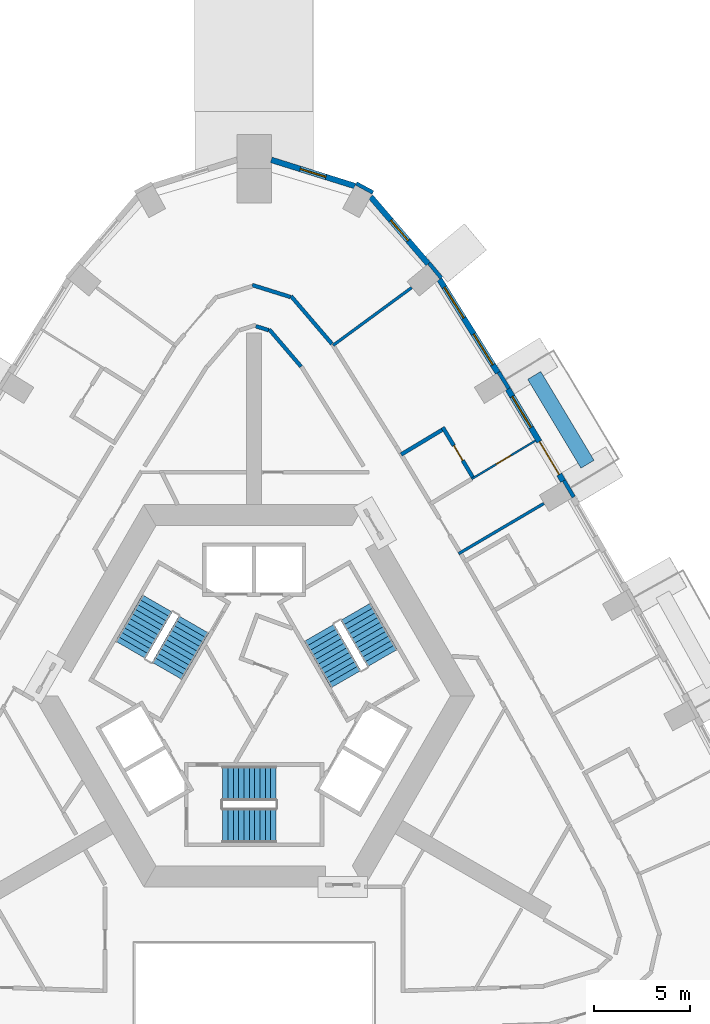
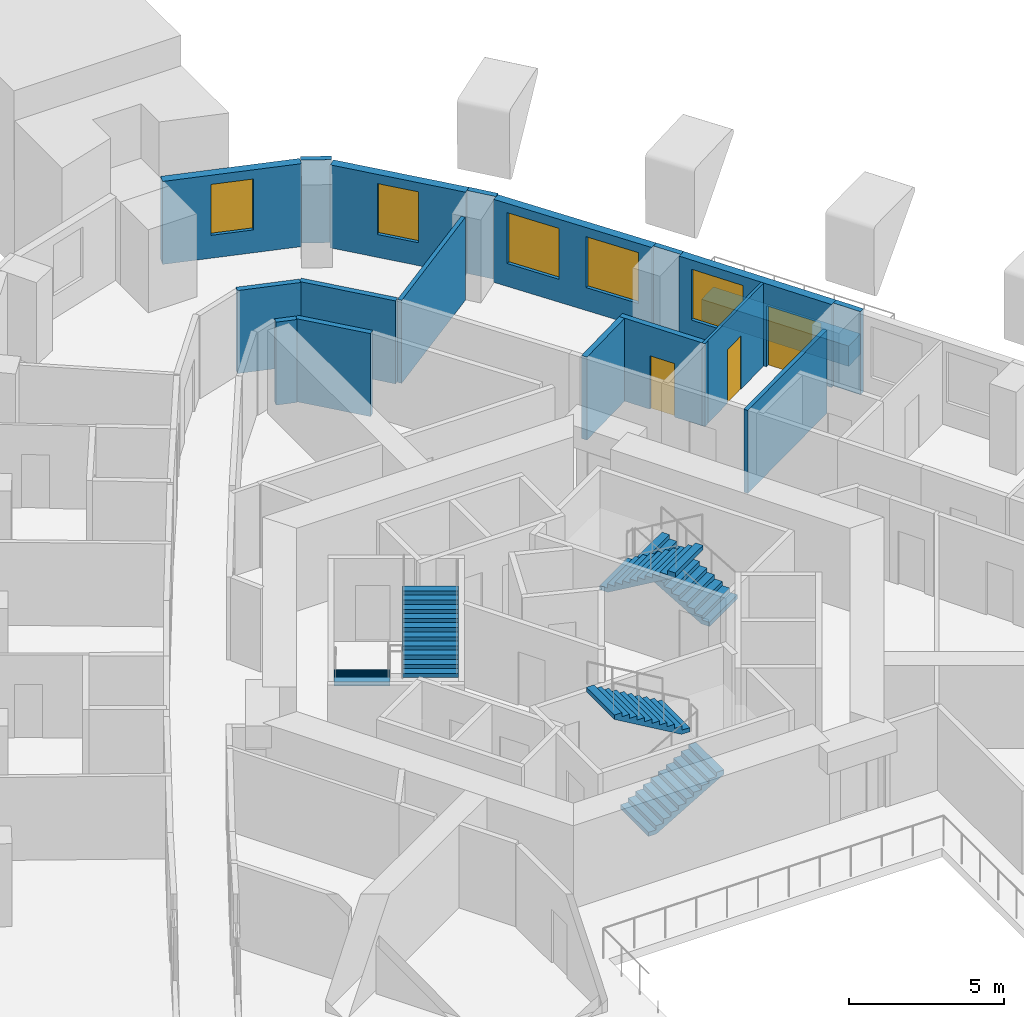
# One storey, part 9 of 12: 18 walls, 6 stair flights, 5 windows, 3 doors, 8 openings, 3 elements without a shape of their own.
"""IFC4 building model written with IfcOpenShell, lengths in metres."""

from ifc_helpers import new_model, si_unit, direction, frame, frame_2d, origin, place, context, subcontext, project, spatial, polyline, rectangle, outline, extrude, material, layer, layer_set, type_object, element, fill, aggregate, save


model = new_model("IFC4")

# Units and contexts
model_context = context("Model", 3, precision=1e-05, world=origin(), true_north=direction((0.0, 1.0)))
body_context = subcontext(model_context, "Body", "Model", "MODEL_VIEW")
ifc_project = project(units=[si_unit("LENGTHUNIT", "METRE"), si_unit("AREAUNIT", "SQUARE_METRE"), si_unit("VOLUMEUNIT", "CUBIC_METRE"), si_unit("PLANEANGLEUNIT", "RADIAN"), si_unit("MASSUNIT", "GRAM", prefix="KILO")], contexts=[model_context])

# Site, building, storey
site_placement = place(None, origin())
site = spatial("IfcSite", under=ifc_project, at=site_placement, CompositionType="ELEMENT")
building_placement = place(site_placement, origin())
building = spatial("IfcBuilding", under=site, at=building_placement, Name="Entoto Arch Interchange Tower", CompositionType="ELEMENT")
storey_placement = place(building_placement, frame((0.0, 0.0, 273.800048828125)))
storey = spatial("IfcBuildingStorey", under=building, at=storey_placement, Name="L63", CompositionType="ELEMENT", Elevation=273.800048828125)

# Wall, opening, door
ifc_material_1 = material(Name="Gypsum board partition on steel studs", Category="steel")
ifc_layer_1 = layer(ifc_material_1, 0.10009765625)
ifc_layer_set_1 = layer_set([ifc_layer_1], Name="Gypsum board partition on steel studs")
wall_type_1 = type_object("IfcWallType", Name="PARTITION 100", PredefinedType="PARTITIONING", material=ifc_layer_set_1)
wall_1_placement = place(storey_placement, frame((11.386962890625, 13.843994140625, 0.0), z_axis=(0.0, 0.0, 1.0), x_axis=(0.857238721908, 0.514919191389, 0.0)))
wall_1 = element("IfcWall", 1, at=wall_1_placement, inside=storey, type_object=wall_type_1, Name="wall:L63:p106", PredefinedType="PARTITIONING", context=body_context, shape_type="SweptSolid", body=[
    extrude(rectangle(XDim=3.899658203125, YDim=0.10009765625, at=frame_2d((1.94970703125, 0.0))), origin(), (0.0, 0.0, 1.0), 3.260009765625),
])
opening_1_placement = place(wall_1_placement, frame((1.5, 0.0, 0.0)))
opening_1 = element("IfcOpeningElement", 2, at=opening_1_placement, cuts=wall_1, Name="Opening L63-D08", PredefinedType="OPENING", context=body_context, shape_type="SweptSolid", body=[
    extrude(rectangle(XDim=0.89990234375, YDim=2.10009765625, at=frame_2d((0.449951171875, 1.050048828125))), frame((0.0, 0.06005859375, 0.0), z_axis=(0.0, -1.0, 0.0), x_axis=(1.0, 0.0, 0.0)), (0.0, 0.0, 1.0), 0.1201171875),
])
ifc_material_2 = material(Name="Timber door leaf in Steel S235 frame", Category="steel")
door_type_1 = type_object("IfcDoorType", Name="DOOR DS-09 900x2100", OperationType="SINGLE_SWING_LEFT", PredefinedType="DOOR", material=ifc_material_2)
door_1_placement = place(opening_1_placement, origin())
door_1 = element("IfcDoor", 3, at=door_1_placement, inside=storey, type_object=door_type_1, Name="door:L63:08", OperationType="SINGLE_SWING_LEFT", OverallHeight=2.10009765625, OverallWidth=0.89990234375, PredefinedType="DOOR", context=body_context, shape_type="SweptSolid", body=[
    extrude(rectangle(XDim=0.89990234375, YDim=2.10009765625, at=frame_2d((0.449951171875, 1.050048828125))), frame((0.0, 0.02490234375, 0.0), z_axis=(0.0, -1.0, 0.0), x_axis=(1.0, 0.0, 0.0)), (0.0, 0.0, 1.0), 0.050048828125),
])
fill(opening_1, door_1)

# Walls
ifc_layer_2 = layer(ifc_material_1, 0.14990234375)
ifc_layer_set_2 = layer_set([ifc_layer_2], Name="Gypsum board partition on steel studs")
wall_type_2 = type_object("IfcWallType", Name="PARTITION 150", PredefinedType="PARTITIONING", material=ifc_layer_set_2)
wall_2_placement = place(storey_placement, frame((10.701904296875, 9.93408203125, 0.0), z_axis=(0.0, 0.0, 1.0), x_axis=(0.861684553056, 0.507444313225, 0.0)))
element("IfcWall", 4, at=wall_2_placement, inside=storey, type_object=wall_type_2, Name="wall:L63:p105", PredefinedType="PARTITIONING", context=body_context, shape_type="SweptSolid", body=[
    extrude(rectangle(XDim=5.1806640625, YDim=0.14990234375, at=frame_2d((2.59033203125, 0.0))), origin(), (0.0, 0.0, 1.0), 3.260009765625),
])
wall_3_placement = place(storey_placement, frame((4.137939453125, 20.843994140625, 0.0), z_axis=(0.0, 0.0, 1.0), x_axis=(0.805989075855, 0.591930409426, 0.0)))
element("IfcWall", 5, at=wall_3_placement, inside=storey, type_object=wall_type_2, Name="wall:L63:p110", PredefinedType="PARTITIONING", context=body_context, shape_type="SweptSolid", body=[
    extrude(rectangle(XDim=5.096923828125, YDim=0.14990234375, at=frame_2d((2.54833984375, 0.0))), origin(), (0.0, 0.0, 1.0), 3.260009765625),
])
ifc_layer_3 = layer(ifc_material_1, 0.199951171875)
ifc_layer_set_3 = layer_set([ifc_layer_3], Name="Gypsum board partition on steel studs")
wall_type_3 = type_object("IfcWallType", Name="PARTITION 200", PredefinedType="PARTITIONING", material=ifc_layer_set_3)
wall_4_placement = place(storey_placement, frame((2.45703125, 19.73291015625, 0.0), z_axis=(0.0, 0.0, 1.0), x_axis=(-0.650650354416, 0.759377453114, 0.0)))
element("IfcWall", 6, at=wall_4_placement, inside=storey, type_object=wall_type_3, Name="wall:L63:p014", PredefinedType="PARTITIONING", context=body_context, shape_type="SweptSolid", body=[
    extrude(rectangle(XDim=2.566650390625, YDim=0.199951171875, at=frame_2d((1.283203125, 0.0))), origin(), (0.0, 0.0, 1.0), 3.260009765625),
])
wall_5_placement = place(storey_placement, frame((0.757080078125, 21.635986328125, 0.0), z_axis=(0.0, 0.0, 1.0), x_axis=(-0.954429868001, 0.298435297959, 0.0)))
element("IfcWall", 7, at=wall_5_placement, inside=storey, type_object=wall_type_3, Name="wall:L63:p015", PredefinedType="PARTITIONING", context=body_context, shape_type="SweptSolid", body=[
    extrude(rectangle(XDim=0.693603515625, YDim=0.199951171875, at=frame_2d((0.3466796875, 0.0))), origin(), (0.0, 0.0, 1.0), 3.260009765625),
])
wall_6_placement = place(storey_placement, frame((-0.094970703125, 23.998046875, 0.0), z_axis=(0.0, 0.0, 1.0), x_axis=(0.954355336779, -0.298673552831, 0.0)))
element("IfcWall", 8, at=wall_6_placement, inside=storey, type_object=wall_type_3, Name="wall:L63:p055", PredefinedType="PARTITIONING", context=body_context, shape_type="SweptSolid", body=[
    extrude(rectangle(XDim=2.092529296875, YDim=0.199951171875, at=frame_2d((1.04638671875, 0.0))), origin(), (0.0, 0.0, 1.0), 3.260009765625),
])
wall_7_placement = place(storey_placement, frame((1.93310546875, 23.419921875, 0.0), z_axis=(0.0, 0.0, 1.0), x_axis=(0.65027189398, -0.759701562391, 0.0)))
element("IfcWall", 9, at=wall_7_placement, inside=storey, type_object=wall_type_3, Name="wall:L63:p056", PredefinedType="PARTITIONING", context=body_context, shape_type="SweptSolid", body=[
    extrude(rectangle(XDim=3.290771484375, YDim=0.199951171875, at=frame_2d((1.6455078125, 0.0))), origin(), (0.0, 0.0, 1.0), 3.260009765625),
])

# Wall, opening, door
wall_8_placement = place(storey_placement, frame((11.4990234375, 13.85302734375, 0.0), z_axis=(0.0, 0.0, 1.0), x_axis=(-0.514985817066, 0.857198698214, 0.0)))
wall_8 = element("IfcWall", 10, at=wall_8_placement, inside=storey, type_object=wall_type_3, Name="wall:L63:p108", PredefinedType="PARTITIONING", context=body_context, shape_type="SweptSolid", body=[
    extrude(rectangle(XDim=3.149658203125, YDim=0.199951171875, at=frame_2d((1.57470703125, 0.0))), origin(), (0.0, 0.0, 1.0), 3.260009765625),
])
opening_2_placement = place(wall_8_placement, frame((1.125, 0.0, 0.0)))
opening_2 = element("IfcOpeningElement", 11, at=opening_2_placement, cuts=wall_8, Name="Opening L63-D09", PredefinedType="OPENING", context=body_context, shape_type="SweptSolid", body=[
    extrude(rectangle(XDim=0.89990234375, YDim=2.10009765625, at=frame_2d((0.449951171875, 1.050048828125))), frame((0.0, 0.10986328125, 0.0), z_axis=(0.0, -1.0, 0.0), x_axis=(1.0, 0.0, 0.0)), (0.0, 0.0, 1.0), 0.219970703125),
])
door_2_placement = place(opening_2_placement, origin())
door_2 = element("IfcDoor", 12, at=door_2_placement, inside=storey, type_object=door_type_1, Name="door:L63:09", OperationType="SINGLE_SWING_LEFT", OverallHeight=2.10009765625, OverallWidth=0.89990234375, PredefinedType="DOOR", context=body_context, shape_type="SweptSolid", body=[
    extrude(rectangle(XDim=0.89990234375, YDim=2.10009765625, at=frame_2d((0.449951171875, 1.050048828125))), frame((0.0, 0.02490234375, 0.0), z_axis=(0.0, -1.0, 0.0), x_axis=(1.0, 0.0, 0.0)), (0.0, 0.0, 1.0), 0.050048828125),
])
fill(opening_2, door_2)

# Walls
wall_9_placement = place(storey_placement, frame((9.842041015625, 16.416015625, 0.0), z_axis=(0.0, 0.0, 1.0), x_axis=(-0.857268798444, -0.514869116586, 0.0)))
element("IfcWall", 13, at=wall_9_placement, inside=storey, type_object=wall_type_3, Name="wall:L63:p109", PredefinedType="PARTITIONING", context=body_context, shape_type="SweptSolid", body=[
    extrude(rectangle(XDim=2.499755859375, YDim=0.199951171875, at=frame_2d((1.25, 0.0))), origin(), (0.0, 0.0, 1.0), 3.260009765625),
])
ifc_material_3 = material(Name="Board-marked precast concrete C50/60", Category="concrete")
ifc_layer_4 = layer(ifc_material_3, 0.800048828125)
ifc_layer_set_4 = layer_set([ifc_layer_4], Name="Board-marked precast concrete C50/60")
wall_type_4 = type_object("IfcWallType", Name="PLANTER RC 800 Olea europaea subsp. cuspidata", PredefinedType="STANDARD", material=ifc_layer_set_4)
wall_10_placement = place(storey_placement, frame((17.452880859375, 14.6201171875, 0.0), z_axis=(0.0, 0.0, 1.0), x_axis=(-0.514846755633, 0.857282227865, 0.0)))
element("IfcWall", 14, at=wall_10_placement, inside=storey, type_object=wall_type_4, Name="Planter NE-04 L63", PredefinedType="STANDARD", context=body_context, shape_type="SweptSolid", body=[
    extrude(rectangle(XDim=5.420654296875, YDim=0.800048828125, at=frame_2d((2.71044921875, 0.0))), origin(), (0.0, 0.0, 1.0), 0.800048828125),
])

# Wall, openings, door, window
ifc_material_4 = material(Name="Welded tuff (ignimbrite) cladding, warm buff", Category="masonry")
ifc_layer_5 = layer(ifc_material_4, 0.300048828125)
ifc_layer_set_5 = layer_set([ifc_layer_5], Name="Welded tuff (ignimbrite) cladding, warm buff")
wall_type_5 = type_object("IfcWallType", Name="STONE INFILL WALL 300", PredefinedType="STANDARD", material=ifc_layer_set_5)
wall_11_placement = place(storey_placement, frame((16.176025390625, 13.737060546875, 0.0), z_axis=(0.0, 0.0, 1.0), x_axis=(-0.515006791362, 0.857186096977, 0.0)))
wall_11 = element("IfcWall", 15, at=wall_11_placement, inside=storey, type_object=wall_type_5, Name="Facade wall NE-04 L63", PredefinedType="STANDARD", context=body_context, shape_type="SweptSolid", body=[
    extrude(rectangle(XDim=5.619384765625, YDim=0.300048828125, at=frame_2d((2.8095703125, 0.0))), origin(), (0.0, 0.0, 1.0), 3.260009765625),
])
opening_3_placement = place(wall_11_placement, frame((0.405029296875, 0.0, 0.0)))
opening_3 = element("IfcOpeningElement", 16, at=opening_3_placement, cuts=wall_11, Name="Opening DB-NE-04-L63", PredefinedType="OPENING", context=body_context, shape_type="SweptSolid", body=[
    extrude(rectangle(XDim=2.0, YDim=2.39990234375, at=frame_2d((1.0, 1.199951171875))), frame((0.0, 0.16015625, 0.0), z_axis=(0.0, -1.0, 0.0), x_axis=(1.0, 0.0, 0.0)), (0.0, 0.0, 1.0), 0.320068359375),
])
opening_4_placement = place(wall_11_placement, frame((3.264892578125, 0.0, 0.89990234375)))
opening_4 = element("IfcOpeningElement", 17, at=opening_4_placement, cuts=wall_11, Name="Opening WH-C", PredefinedType="OPENING", context=body_context, shape_type="SweptSolid", body=[
    extrude(rectangle(XDim=1.89990234375, YDim=2.0, at=frame_2d((0.949951171875, 1.0))), frame((0.0, 0.16015625, 0.0), z_axis=(0.0, -1.0, 0.0), x_axis=(1.0, 0.0, 0.0)), (0.0, 0.0, 1.0), 0.320068359375),
])
ifc_material_5 = material(Name="Aluminium and clear glass, anodised", Category="aluminium")
door_type_2 = type_object("IfcDoorType", Name="BALCONY DOOR DB 2000x2400", OperationType="SLIDING_TO_LEFT", PredefinedType="DOOR", material=ifc_material_5)
door_3_placement = place(opening_3_placement, origin())
door_3 = element("IfcDoor", 18, at=door_3_placement, inside=storey, type_object=door_type_2, Name="Balcony door NE-04 L63", OperationType="SLIDING_TO_LEFT", OverallHeight=2.39990234375, OverallWidth=2.0, PredefinedType="DOOR", context=body_context, shape_type="SweptSolid", body=[
    extrude(rectangle(XDim=2.0, YDim=2.39990234375, at=frame_2d((1.0, 1.199951171875))), frame((0.0, 0.02490234375, 0.0), z_axis=(0.0, -1.0, 0.0), x_axis=(1.0, 0.0, 0.0)), (0.0, 0.0, 1.0), 0.050048828125),
])
fill(opening_3, door_3)
ifc_material_6 = material(Name="Clear glass, low-e double glazed", Category="glass")
window_type_1 = type_object("IfcWindowType", Name="WINDOW WH-C 1900x2000", PartitioningType="DOUBLE_PANEL_VERTICAL", PredefinedType="WINDOW", material=ifc_material_6)
window_1_placement = place(opening_4_placement, origin())
window_1 = element("IfcWindow", 19, at=window_1_placement, inside=storey, type_object=window_type_1, Name="Window WH-C NE-04 L63", OverallHeight=2.0, OverallWidth=1.89990234375, PartitioningType="SINGLE_PANEL", PredefinedType="WINDOW", context=body_context, shape_type="SweptSolid", body=[
    extrude(rectangle(XDim=1.89990234375, YDim=2.0, at=frame_2d((0.949951171875, 1.0))), frame((0.0, 0.030029296875, 0.0), z_axis=(0.0, -1.0, 0.0), x_axis=(1.0, 0.0, 0.0)), (0.0, 0.0, 1.0), 0.06005859375),
])
fill(opening_4, window_1)

# Wall, openings, windows
wall_12_placement = place(storey_placement, frame((12.760986328125, 19.405029296875, 0.0), z_axis=(0.0, 0.0, 1.0), x_axis=(-0.529915244244, 0.848050608111, 0.0)))
wall_12 = element("IfcWall", 20, at=wall_12_placement, inside=storey, type_object=wall_type_5, Name="Facade wall NE-05 L63", PredefinedType="STANDARD", context=body_context, shape_type="SweptSolid", body=[
    extrude(rectangle(XDim=5.7685546875, YDim=0.300048828125, at=frame_2d((2.88427734375, 0.0))), origin(), (0.0, 0.0, 1.0), 3.260009765625),
])
opening_5_placement = place(wall_12_placement, frame((0.491943359375, 0.0, 0.89990234375)))
opening_5 = element("IfcOpeningElement", 21, at=opening_5_placement, cuts=wall_12, Name="Opening WH-C", PredefinedType="OPENING", context=body_context, shape_type="SweptSolid", body=[
    extrude(rectangle(XDim=1.89990234375, YDim=2.0, at=frame_2d((0.949951171875, 1.0))), frame((0.0, 0.16015625, 0.0), z_axis=(0.0, -1.0, 0.0), x_axis=(1.0, 0.0, 0.0)), (0.0, 0.0, 1.0), 0.320068359375),
])
opening_6_placement = place(wall_12_placement, frame((3.3759765625, 0.0, 0.89990234375)))
opening_6 = element("IfcOpeningElement", 22, at=opening_6_placement, cuts=wall_12, Name="Opening WH-C", PredefinedType="OPENING", context=body_context, shape_type="SweptSolid", body=[
    extrude(rectangle(XDim=1.89990234375, YDim=2.0, at=frame_2d((0.949951171875, 1.0))), frame((0.0, 0.16015625, 0.0), z_axis=(0.0, -1.0, 0.0), x_axis=(1.0, 0.0, 0.0)), (0.0, 0.0, 1.0), 0.320068359375),
])
window_2_placement = place(opening_5_placement, origin())
window_2 = element("IfcWindow", 23, at=window_2_placement, inside=storey, type_object=window_type_1, Name="Window WH-C NE-05 L63", OverallHeight=2.0, OverallWidth=1.89990234375, PartitioningType="SINGLE_PANEL", PredefinedType="WINDOW", context=body_context, shape_type="SweptSolid", body=[
    extrude(rectangle(XDim=1.89990234375, YDim=2.0, at=frame_2d((0.949951171875, 1.0))), frame((0.0, 0.030029296875, 0.0), z_axis=(0.0, -1.0, 0.0), x_axis=(1.0, 0.0, 0.0)), (0.0, 0.0, 1.0), 0.06005859375),
])
fill(opening_5, window_2)
window_3_placement = place(opening_6_placement, origin())
window_3 = element("IfcWindow", 24, at=window_3_placement, inside=storey, type_object=window_type_1, Name="Window WH-C NE-05 L63", OverallHeight=2.0, OverallWidth=1.89990234375, PartitioningType="SINGLE_PANEL", PredefinedType="WINDOW", context=body_context, shape_type="SweptSolid", body=[
    extrude(rectangle(XDim=1.89990234375, YDim=2.0, at=frame_2d((0.949951171875, 1.0))), frame((0.0, 0.030029296875, 0.0), z_axis=(0.0, -1.0, 0.0), x_axis=(1.0, 0.0, 0.0)), (0.0, 0.0, 1.0), 0.06005859375),
])
fill(opening_6, window_3)

# Wall, opening, window
wall_13_placement = place(storey_placement, frame((9.114013671875, 25.10400390625, 0.0), z_axis=(0.0, 0.0, 1.0), x_axis=(-0.650534879197, 0.759476379454, 0.0)))
wall_13 = element("IfcWall", 25, at=wall_13_placement, inside=storey, type_object=wall_type_5, Name="Facade wall N-01 L63", PredefinedType="STANDARD", context=body_context, shape_type="SweptSolid", body=[
    extrude(rectangle(XDim=4.62548828125, YDim=0.300048828125, at=frame_2d((2.312744140625, 0.0))), origin(), (0.0, 0.0, 1.0), 3.260009765625),
])
opening_7_placement = place(wall_13_placement, frame((1.613037109375, 0.0, 0.89990234375)))
opening_7 = element("IfcOpeningElement", 26, at=opening_7_placement, cuts=wall_13, Name="Opening WH-B", PredefinedType="OPENING", context=body_context, shape_type="SweptSolid", body=[
    extrude(rectangle(XDim=1.39990234375, YDim=2.0, at=frame_2d((0.699951171875, 1.0))), frame((0.0, 0.16015625, 0.0), z_axis=(0.0, -1.0, 0.0), x_axis=(1.0, 0.0, 0.0)), (0.0, 0.0, 1.0), 0.320068359375),
])
window_type_2 = type_object("IfcWindowType", Name="WINDOW WH-B 1400x2000", PartitioningType="DOUBLE_PANEL_VERTICAL", PredefinedType="WINDOW", material=ifc_material_6)
window_4_placement = place(opening_7_placement, origin())
window_4 = element("IfcWindow", 27, at=window_4_placement, inside=storey, type_object=window_type_2, Name="Window WH-B N-01 L63", OverallHeight=2.0, OverallWidth=1.39990234375, PartitioningType="SINGLE_PANEL", PredefinedType="WINDOW", context=body_context, shape_type="SweptSolid", body=[
    extrude(rectangle(XDim=1.39990234375, YDim=2.0, at=frame_2d((0.699951171875, 1.0))), frame((0.0, 0.030029296875, 0.0), z_axis=(0.0, -1.0, 0.0), x_axis=(1.0, 0.0, 0.0)), (0.0, 0.0, 1.0), 0.06005859375),
])
fill(opening_7, window_4)

wall_14_placement = place(storey_placement, frame((5.27490234375, 29.181884765625, 0.0), z_axis=(0.0, 0.0, 1.0), x_axis=(-0.954438278963, 0.298408397417, 0.0)))
wall_14 = element("IfcWall", 28, at=wall_14_placement, inside=storey, type_object=wall_type_5, Name="Facade wall N-02 L63", PredefinedType="STANDARD", context=body_context, shape_type="SweptSolid", body=[
    extrude(rectangle(XDim=4.5849609375, YDim=0.300048828125, at=frame_2d((2.29248046875, 0.0))), origin(), (0.0, 0.0, 1.0), 3.260009765625),
])
opening_8_placement = place(wall_14_placement, frame((1.592041015625, 0.0, 0.89990234375)))
opening_8 = element("IfcOpeningElement", 29, at=opening_8_placement, cuts=wall_14, Name="Opening WH-B", PredefinedType="OPENING", context=body_context, shape_type="SweptSolid", body=[
    extrude(rectangle(XDim=1.39990234375, YDim=2.0, at=frame_2d((0.699951171875, 1.0))), frame((0.0, 0.16015625, 0.0), z_axis=(0.0, -1.0, 0.0), x_axis=(1.0, 0.0, 0.0)), (0.0, 0.0, 1.0), 0.320068359375),
])
window_5_placement = place(opening_8_placement, origin())
window_5 = element("IfcWindow", 30, at=window_5_placement, inside=storey, type_object=window_type_2, Name="Window WH-B N-02 L63", OverallHeight=2.0, OverallWidth=1.39990234375, PartitioningType="SINGLE_PANEL", PredefinedType="WINDOW", context=body_context, shape_type="SweptSolid", body=[
    extrude(rectangle(XDim=1.39990234375, YDim=2.0, at=frame_2d((0.699951171875, 1.0))), frame((0.0, 0.030029296875, 0.0), z_axis=(0.0, -1.0, 0.0), x_axis=(1.0, 0.0, 0.0)), (0.0, 0.0, 1.0), 0.06005859375),
])
fill(opening_8, window_5)

# Walls
ifc_layer_6 = layer(ifc_material_4, 0.199951171875)
ifc_layer_set_6 = layer_set([ifc_layer_6], Name="Welded tuff (ignimbrite) cladding, warm buff")
wall_type_6 = type_object("IfcWallType", Name="STONE PIER CLADDING 200", PredefinedType="STANDARD", material=ifc_layer_set_6)
wall_15_placement = place(storey_placement, frame((6.22509765625, 28.8369140625, 0.0), z_axis=(0.0, 0.0, 1.0), x_axis=(-0.878305841364, 0.478099204168, 0.0)))
element("IfcWall", 31, at=wall_15_placement, inside=storey, type_object=wall_type_6, Name="Stone pier N1 L63", PredefinedType="STANDARD", context=body_context, shape_type="SweptSolid", body=[
    extrude(rectangle(XDim=0.999755859375, YDim=0.199951171875, at=frame_2d((0.5, 0.0))), origin(), (0.0, 0.0, 1.0), 3.260009765625),
])
wall_16_placement = place(storey_placement, frame((16.72998046875, 12.904052734375, 0.0), z_axis=(0.0, 0.0, 1.0), x_axis=(-0.508268432768, 0.861198699634, 0.0)))
element("IfcWall", 32, at=wall_16_placement, inside=storey, type_object=wall_type_6, Name="Stone pier NE04 L63", PredefinedType="STANDARD", context=body_context, shape_type="SweptSolid", body=[
    extrude(rectangle(XDim=0.99951171875, YDim=0.199951171875, at=frame_2d((0.499755859375, 0.0))), origin(), (0.0, 0.0, 1.0), 3.260009765625),
])
wall_17_placement = place(storey_placement, frame((13.3310546875, 18.5830078125, 0.0), z_axis=(0.0, 0.0, 1.0), x_axis=(-0.525825307325, 0.850592585306, 0.0)))
element("IfcWall", 33, at=wall_17_placement, inside=storey, type_object=wall_type_6, Name="Stone pier NE05 L63", PredefinedType="STANDARD", context=body_context, shape_type="SweptSolid", body=[
    extrude(rectangle(XDim=1.00048828125, YDim=0.199951171875, at=frame_2d((0.500244140625, 0.0))), origin(), (0.0, 0.0, 1.0), 3.260009765625),
])
wall_18_placement = place(storey_placement, frame((9.7958984375, 24.3720703125, 0.0), z_axis=(0.0, 0.0, 1.0), x_axis=(-0.637972365578, 0.770059257953, 0.0)))
element("IfcWall", 34, at=wall_18_placement, inside=storey, type_object=wall_type_6, Name="Stone pier NE06 L63", PredefinedType="STANDARD", context=body_context, shape_type="SweptSolid", body=[
    extrude(rectangle(XDim=1.0, YDim=0.199951171875, at=frame_2d((0.5, 0.0))), origin(), (0.0, 0.0, 1.0), 3.260009765625),
])

# Stair, stair flights
ifc_material_7 = material(Name="Concrete C40/50", Category="concrete")
stair_type = type_object("IfcStairType", Name="EXIT STAIR RC 1800", PredefinedType="HALF_TURN_STAIR", material=ifc_material_7)
stair_1_placement = place(storey_placement, origin())
stair_1 = element("IfcStair", 35, at=stair_1_placement, inside=storey, type_object=stair_type, Name="L63 Exit stair S", PredefinedType="HALF_TURN_STAIR")
stair_flight_type = type_object("IfcStairFlightType", Name="EXIT STAIR FLIGHT RC 1800", PredefinedType="STRAIGHT", material=ifc_material_7)
stair_flight_1_placement = place(storey_placement, frame((-1.64990234375, -4.300048828125, 0.0), z_axis=(0.0, 0.0, 1.0), x_axis=(1.0, 0.0, 0.0)))
stair_flight_1 = element("IfcStairFlight", 36, at=stair_flight_1_placement, type_object=stair_flight_type, Name="ST-S flight 1", NumberOfRisers=11, NumberOfTreads=10, PredefinedType="STRAIGHT", RiserHeight=0.163636364, TreadLength=0.28, context=body_context, shape_type="SweptSolid", body=[
    extrude(outline(polyline([(-0.0029296875, 0.0), (-0.0029296875, 0.16357421875), (0.280029296875, 0.16357421875), (0.280029296875, 0.327392578125), (0.56005859375, 0.327392578125), (0.56005859375, 0.490966796875), (0.840087890625, 0.490966796875), (0.840087890625, 0.654541015625), (1.1201171875, 0.654541015625), (1.1201171875, 0.818115234375), (1.39990234375, 0.818115234375), (1.39990234375, 0.98193359375), (1.679931640625, 0.98193359375), (1.679931640625, 1.1455078125), (1.9599609375, 1.1455078125), (1.9599609375, 1.30908203125), (2.239990234375, 1.30908203125), (2.239990234375, 1.47265625), (2.52001953125, 1.47265625), (2.52001953125, 1.636474609375), (2.800048828125, 1.636474609375), (2.802978515625, 1.636474609375), (2.802978515625, 1.464599609375), (0.297119140625, 0.0), (-0.0029296875, 0.0)])), frame((0.0, 0.89990234375, 0.0), z_axis=(0.0, -1.0, 0.0), x_axis=(1.0, 0.0, 0.0)), (0.0, 0.0, 1.0), 1.800048828125),
])
stair_flight_2_placement = place(storey_placement, frame((1.14990234375, -2.10009765625, 1.800048828125), z_axis=(0.0, 0.0, 1.0), x_axis=(-1.0, 0.0, 0.0)))
stair_flight_2 = element("IfcStairFlight", 37, at=stair_flight_2_placement, type_object=stair_flight_type, Name="ST-S flight 2", NumberOfRisers=11, NumberOfTreads=10, PredefinedType="STRAIGHT", RiserHeight=0.163636364, TreadLength=0.28, context=body_context, shape_type="SweptSolid", body=[
    extrude(outline(polyline([(-0.0029296875, 0.0), (-0.0029296875, 0.16357421875), (0.280029296875, 0.16357421875), (0.280029296875, 0.327392578125), (0.56005859375, 0.327392578125), (0.56005859375, 0.490966796875), (0.840087890625, 0.490966796875), (0.840087890625, 0.654541015625), (1.1201171875, 0.654541015625), (1.1201171875, 0.818115234375), (1.39990234375, 0.818115234375), (1.39990234375, 0.98193359375), (1.679931640625, 0.98193359375), (1.679931640625, 1.1455078125), (1.9599609375, 1.1455078125), (1.9599609375, 1.30908203125), (2.239990234375, 1.30908203125), (2.239990234375, 1.47265625), (2.52001953125, 1.47265625), (2.52001953125, 1.636474609375), (2.800048828125, 1.636474609375), (2.802978515625, 1.636474609375), (2.802978515625, 1.464599609375), (0.297119140625, 0.0), (-0.0029296875, 0.0)])), frame((0.0, 0.89990234375, 0.0), z_axis=(0.0, -1.0, 0.0), x_axis=(1.0, 0.0, 0.0)), (0.0, 0.0, 1.0), 1.800048828125),
])
aggregate(stair_1, [stair_flight_1, stair_flight_2])

stair_2_placement = place(storey_placement, origin())
stair_2 = element("IfcStair", 38, at=stair_2_placement, inside=storey, type_object=stair_type, Name="L63 Exit stair NE", PredefinedType="HALF_TURN_STAIR")
stair_flight_3_placement = place(storey_placement, frame((6.7138671875, 4.470947265625, 0.0), z_axis=(0.0, 0.0, 1.0), x_axis=(-0.5, 0.866025403784, 0.0)))
stair_flight_3 = element("IfcStairFlight", 39, at=stair_flight_3_placement, type_object=stair_flight_type, Name="ST-NE flight 1", NumberOfRisers=11, NumberOfTreads=10, PredefinedType="STRAIGHT", RiserHeight=0.163636364, TreadLength=0.28, context=body_context, shape_type="SweptSolid", body=[
    extrude(outline(polyline([(-0.0029296875, 0.0), (-0.0029296875, 0.16357421875), (0.280029296875, 0.16357421875), (0.280029296875, 0.327392578125), (0.56005859375, 0.327392578125), (0.56005859375, 0.490966796875), (0.840087890625, 0.490966796875), (0.840087890625, 0.654541015625), (1.1201171875, 0.654541015625), (1.1201171875, 0.818115234375), (1.39990234375, 0.818115234375), (1.39990234375, 0.98193359375), (1.679931640625, 0.98193359375), (1.679931640625, 1.1455078125), (1.9599609375, 1.1455078125), (1.9599609375, 1.30908203125), (2.239990234375, 1.30908203125), (2.239990234375, 1.47265625), (2.52001953125, 1.47265625), (2.52001953125, 1.636474609375), (2.800048828125, 1.636474609375), (2.802978515625, 1.636474609375), (2.802978515625, 1.464599609375), (0.297119140625, 0.0), (-0.0029296875, 0.0)])), frame((0.0, 0.89990234375, 0.0), z_axis=(0.0, -1.0, 0.0), x_axis=(1.0, 0.0, 0.0)), (0.0, 0.0, 1.0), 1.800048828125),
])
stair_flight_4_placement = place(storey_placement, frame((3.40869140625, 5.7958984375, 1.800048828125), z_axis=(0.0, 0.0, 1.0), x_axis=(0.5, -0.866025403784, 0.0)))
stair_flight_4 = element("IfcStairFlight", 40, at=stair_flight_4_placement, type_object=stair_flight_type, Name="ST-NE flight 2", NumberOfRisers=11, NumberOfTreads=10, PredefinedType="STRAIGHT", RiserHeight=0.163636364, TreadLength=0.28, context=body_context, shape_type="SweptSolid", body=[
    extrude(outline(polyline([(-0.0029296875, 0.0), (-0.0029296875, 0.16357421875), (0.280029296875, 0.16357421875), (0.280029296875, 0.327392578125), (0.56005859375, 0.327392578125), (0.56005859375, 0.490966796875), (0.840087890625, 0.490966796875), (0.840087890625, 0.654541015625), (1.1201171875, 0.654541015625), (1.1201171875, 0.818115234375), (1.39990234375, 0.818115234375), (1.39990234375, 0.98193359375), (1.679931640625, 0.98193359375), (1.679931640625, 1.1455078125), (1.9599609375, 1.1455078125), (1.9599609375, 1.30908203125), (2.239990234375, 1.30908203125), (2.239990234375, 1.47265625), (2.52001953125, 1.47265625), (2.52001953125, 1.636474609375), (2.800048828125, 1.636474609375), (2.802978515625, 1.636474609375), (2.802978515625, 1.464599609375), (0.297119140625, 0.0), (-0.0029296875, 0.0)])), frame((0.0, 0.89990234375, 0.0), z_axis=(0.0, -1.0, 0.0), x_axis=(1.0, 0.0, 0.0)), (0.0, 0.0, 1.0), 1.800048828125),
])
aggregate(stair_2, [stair_flight_3, stair_flight_4])

stair_3_placement = place(storey_placement, origin())
stair_3 = element("IfcStair", 41, at=stair_3_placement, inside=storey, type_object=stair_type, Name="L63 Exit stair NW", PredefinedType="HALF_TURN_STAIR")
stair_flight_5_placement = place(storey_placement, frame((-5.06396484375, 7.328857421875, 0.0), z_axis=(0.0, 0.0, 1.0), x_axis=(-0.5, -0.866025403784, 0.0)))
stair_flight_5 = element("IfcStairFlight", 42, at=stair_flight_5_placement, type_object=stair_flight_type, Name="ST-NW flight 1", NumberOfRisers=11, NumberOfTreads=10, PredefinedType="STRAIGHT", RiserHeight=0.163636364, TreadLength=0.28, context=body_context, shape_type="SweptSolid", body=[
    extrude(outline(polyline([(-0.0029296875, 0.0), (-0.0029296875, 0.16357421875), (0.280029296875, 0.16357421875), (0.280029296875, 0.327392578125), (0.56005859375, 0.327392578125), (0.56005859375, 0.490966796875), (0.840087890625, 0.490966796875), (0.840087890625, 0.654541015625), (1.1201171875, 0.654541015625), (1.1201171875, 0.818115234375), (1.39990234375, 0.818115234375), (1.39990234375, 0.98193359375), (1.679931640625, 0.98193359375), (1.679931640625, 1.1455078125), (1.9599609375, 1.1455078125), (1.9599609375, 1.30908203125), (2.239990234375, 1.30908203125), (2.239990234375, 1.47265625), (2.52001953125, 1.47265625), (2.52001953125, 1.636474609375), (2.800048828125, 1.636474609375), (2.802978515625, 1.636474609375), (2.802978515625, 1.464599609375), (0.297119140625, 0.0), (-0.0029296875, 0.0)])), frame((0.0, 0.89990234375, 0.0), z_axis=(0.0, -1.0, 0.0), x_axis=(1.0, 0.0, 0.0)), (0.0, 0.0, 1.0), 1.800048828125),
])
stair_flight_6_placement = place(storey_placement, frame((-4.558837890625, 3.803955078125, 1.800048828125), z_axis=(0.0, 0.0, 1.0), x_axis=(0.5, 0.866025403784, 0.0)))
stair_flight_6 = element("IfcStairFlight", 43, at=stair_flight_6_placement, type_object=stair_flight_type, Name="ST-NW flight 2", NumberOfRisers=11, NumberOfTreads=10, PredefinedType="STRAIGHT", RiserHeight=0.163636364, TreadLength=0.28, context=body_context, shape_type="SweptSolid", body=[
    extrude(outline(polyline([(-0.0029296875, 0.0), (-0.0029296875, 0.16357421875), (0.280029296875, 0.16357421875), (0.280029296875, 0.327392578125), (0.56005859375, 0.327392578125), (0.56005859375, 0.490966796875), (0.840087890625, 0.490966796875), (0.840087890625, 0.654541015625), (1.1201171875, 0.654541015625), (1.1201171875, 0.818115234375), (1.39990234375, 0.818115234375), (1.39990234375, 0.98193359375), (1.679931640625, 0.98193359375), (1.679931640625, 1.1455078125), (1.9599609375, 1.1455078125), (1.9599609375, 1.30908203125), (2.239990234375, 1.30908203125), (2.239990234375, 1.47265625), (2.52001953125, 1.47265625), (2.52001953125, 1.636474609375), (2.800048828125, 1.636474609375), (2.802978515625, 1.636474609375), (2.802978515625, 1.464599609375), (0.297119140625, 0.0), (-0.0029296875, 0.0)])), frame((0.0, 0.89990234375, 0.0), z_axis=(0.0, -1.0, 0.0), x_axis=(1.0, 0.0, 0.0)), (0.0, 0.0, 1.0), 1.800048828125),
])
aggregate(stair_3, [stair_flight_5, stair_flight_6])

save(model, "model.ifc")
